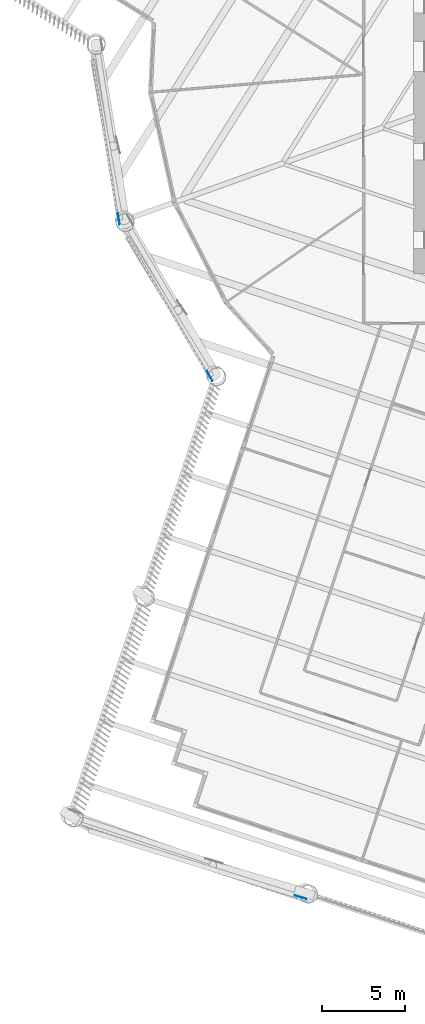
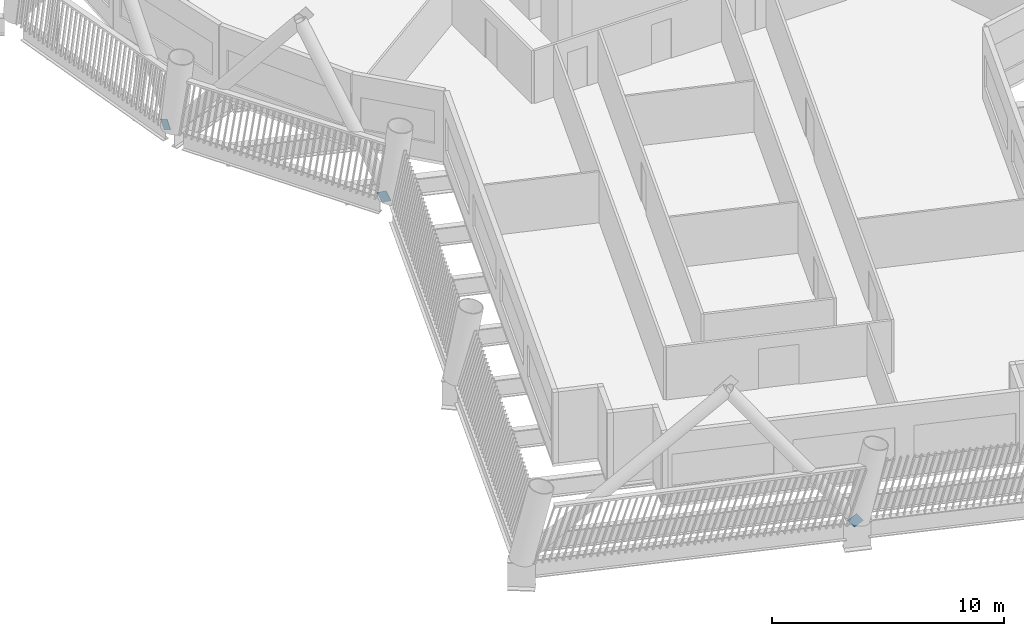
# One storey, part 12 of 22: 3 discrete accessories.
"""IFC4 building model written with IfcOpenShell, lengths in metres."""

from ifc_helpers import new_model, si_unit, direction, frame, origin, origin_2d, place, context, subcontext, project, spatial, rectangle, extrude, material, material_profile, profile_set, type_object, element, save


model = new_model("IFC4")

# Units and contexts
model_context = context("Model", 3, precision=1e-05, world=origin(), true_north=direction((0.0, 1.0)))
body_context = subcontext(model_context, "Body", "Model", "MODEL_VIEW")
ifc_project = project(units=[si_unit("LENGTHUNIT", "METRE"), si_unit("AREAUNIT", "SQUARE_METRE"), si_unit("VOLUMEUNIT", "CUBIC_METRE"), si_unit("PLANEANGLEUNIT", "RADIAN"), si_unit("MASSUNIT", "GRAM", prefix="KILO")], contexts=[model_context])

# Site, building, storey
site_placement = place(None, origin())
site = spatial("IfcSite", under=ifc_project, at=site_placement, CompositionType="ELEMENT")
building_placement = place(site_placement, origin())
building = spatial("IfcBuilding", under=site, at=building_placement, Name="Tarsis Ring Headquarters", CompositionType="ELEMENT")
storey_placement = place(building_placement, frame((0.0, 0.0, 147.60009765625)))
storey = spatial("IfcBuildingStorey", under=building, at=storey_placement, Name="L33", CompositionType="ELEMENT", Elevation=147.60009765625)

# Discrete accessories
ifc_material = material(Name="Structural steel S355", Category="steel")
ifc_material_profile = material_profile(ifc_material, rectangle(XDim=0.02490234375, YDim=0.5, at=origin_2d()), Name="PL 25x500")
ifc_profile_set = profile_set([ifc_material_profile], Name="Structural steel S355")
discrete_accessory_type = type_object("IfcDiscreteAccessoryType", Name="Gusset plate Exo brace 25", PredefinedType="BRACKET", material=ifc_profile_set)
for number, where, z_axis, x_axis, name in (
    (1, (-22.16064453125, -19.259521484375, 0.0), (-0.251427830396, 0.431088882019, 0.866571648453), (-0.863814380133, -0.503810199058, 0.0), "Gusset plate GP5"),
    (2, (-16.63232421875, -50.446044921875, 0.0), (-0.569378428959, 0.165539697613, 0.805235874232), (-0.279177681971, -0.960239460702, 0.0), "Gusset plate GP5"),
    (3, (-27.655029296875, -9.860107421875, 0.0), (-0.076668830256, 0.492731526932, 0.866797284741), (-0.988109857556, -0.153749502117, 0.0), "Gusset plate GP5"),
):
    element("IfcDiscreteAccessory", number, at=place(storey_placement, frame(where, z_axis=z_axis, x_axis=x_axis)), inside=storey, type_object=discrete_accessory_type, Name=name, PredefinedType="BRACKET", context=body_context, shape_type="SweptSolid", body=[
        extrude(rectangle(XDim=0.02490234375, YDim=0.5, at=origin_2d()), origin(), (0.0, 0.0, 1.0), 0.5),
    ])

save(model, "model.ifc")
